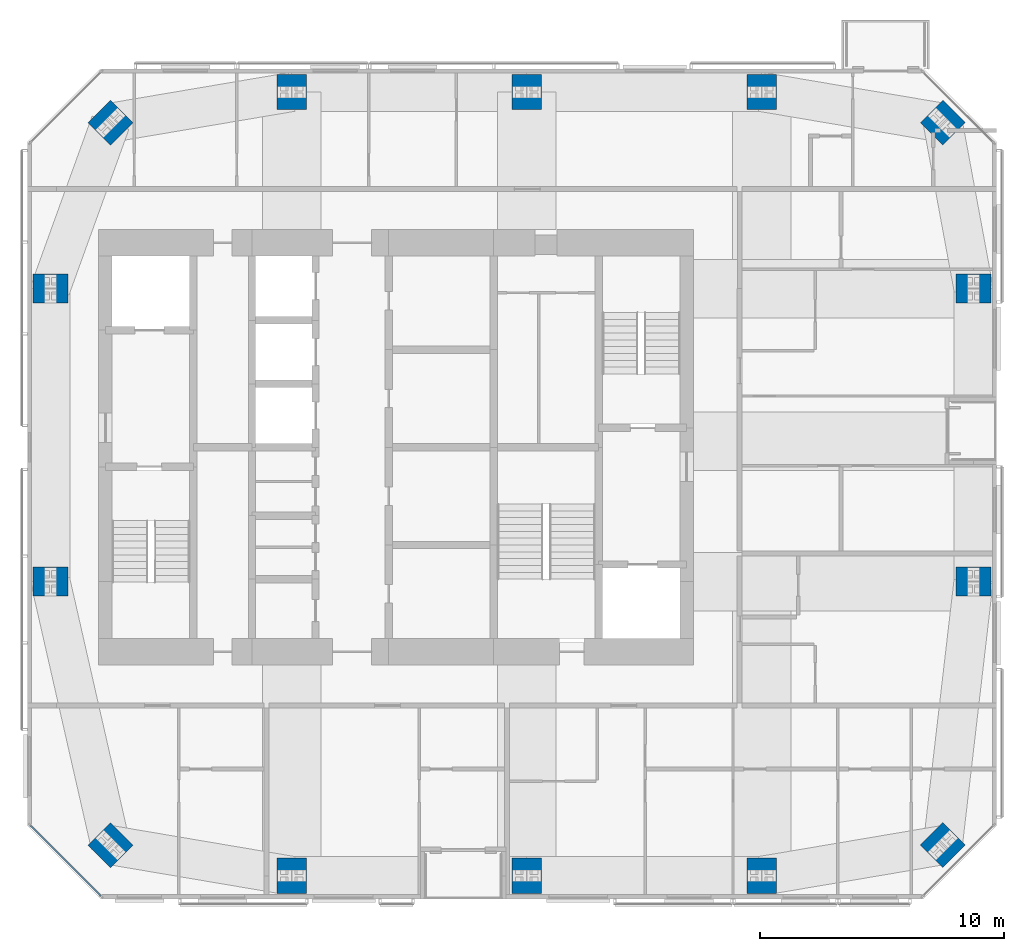
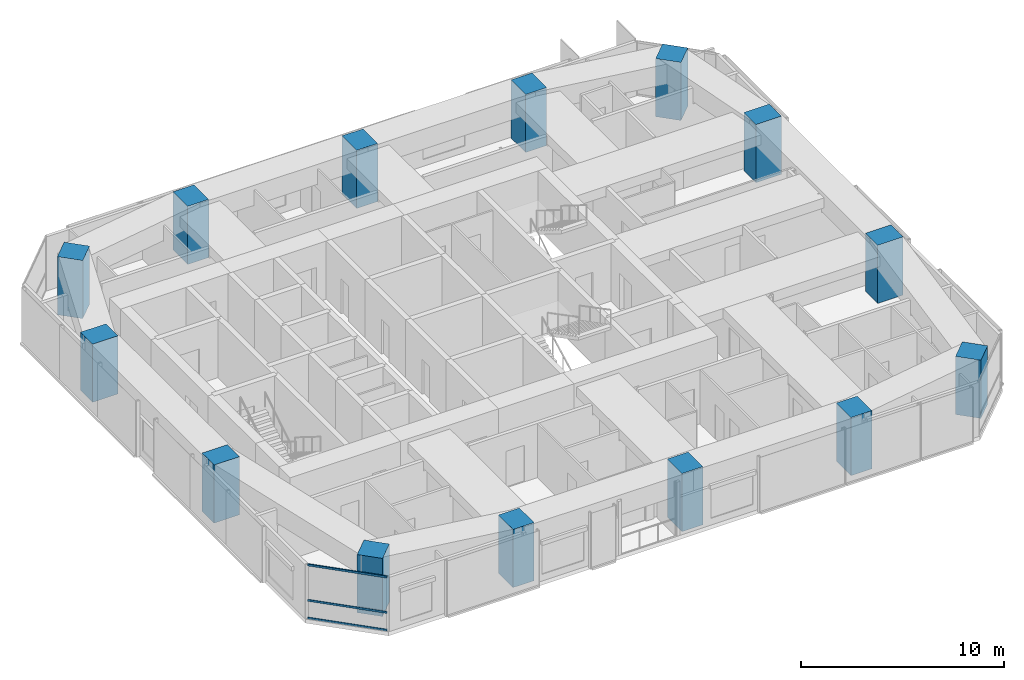
# One storey, part 1 of 20: 14 columns, 3 members, 1 element without a shape of its own.
"""IFC4 building model written with IfcOpenShell, lengths in metres."""

from ifc_helpers import new_model, si_unit, direction, frame, origin, origin_2d, place, context, subcontext, project, spatial, rectangle, extrude, material, material_profile, profile_set, type_object, element, aggregate, save


model = new_model("IFC4")

# Units and contexts
model_context = context("Model", 3, precision=1e-05, world=origin(), true_north=direction((0.0, 1.0)))
body_context = subcontext(model_context, "Body", "Model", "MODEL_VIEW")
ifc_project = project(units=[si_unit("LENGTHUNIT", "METRE"), si_unit("AREAUNIT", "SQUARE_METRE"), si_unit("VOLUMEUNIT", "CUBIC_METRE"), si_unit("PLANEANGLEUNIT", "RADIAN"), si_unit("MASSUNIT", "GRAM", prefix="KILO")], contexts=[model_context])

# Site, building, storey
site_placement = place(None, origin())
site = spatial("IfcSite", under=ifc_project, at=site_placement, CompositionType="ELEMENT")
building_placement = place(site_placement, origin())
building = spatial("IfcBuilding", under=site, at=building_placement, Name="Jalousie Tower", CompositionType="ELEMENT")
storey_placement = place(building_placement, frame((0.0, 0.0, 238.949951171875)))
storey = spatial("IfcBuildingStorey", under=building, at=storey_placement, Name="L65", CompositionType="ELEMENT", Elevation=238.949951171875)

# Columns
ifc_material_1 = material(Name="Concrete f'c 120 MPa", Category="concrete")
ifc_material_profile_1 = material_profile(ifc_material_1, rectangle(XDim=1.300048828125, YDim=1.300048828125, at=origin_2d()), Name="RC 1300x1300")
ifc_profile_set_1 = profile_set([ifc_material_profile_1], Name="Concrete f'c 120 MPa")
column_type_1 = type_object("IfcColumnType", Name="RC COLUMN 1300x1300", PredefinedType="COLUMN", material=ifc_profile_set_1)
for number, where, z_axis, x_axis, name in (
    (1, (20.20703125, 2.20703125, 0.0), (0.0, 0.0, 1.0), (0.707106781187, 0.707106781187, 0.0), "Column 01 L65"),
    (2, (54.29296875, 2.20703125, 0.0), (0.0, 0.0, 1.0), (0.707106781187, 0.707106781187, 0.0), "Column 05 L65"),
    (3, (54.29296875, 31.79296875, 0.0), (0.0, 0.0, 1.0), (0.707106781187, 0.707106781187, 0.0), "Column 08 L65"),
    (4, (20.20703125, 31.79296875, 0.0), (0.0, 0.0, 1.0), (0.707106781187, 0.707106781187, 0.0), "Column 12 L65"),
):
    element("IfcColumn", number, at=place(storey_placement, frame(where, z_axis=z_axis, x_axis=x_axis)), inside=storey, type_object=column_type_1, Name=name, PredefinedType="COLUMN", context=body_context, shape_type="SweptSolid", body=[
        extrude(rectangle(XDim=1.300048828125, YDim=1.300048828125, at=origin_2d()), origin(), (0.0, 0.0, 1.0), 3.5),
    ])
ifc_material_2 = material(Name="Concrete f'c 120 MPa", Category="concrete")
ifc_material_profile_2 = material_profile(ifc_material_2, rectangle(XDim=1.449951171875, YDim=1.199951171875, at=origin_2d()), Name="RC 1450x1200")
ifc_profile_set_2 = profile_set([ifc_material_profile_2], Name="Concrete f'c 120 MPa")
column_type_2 = type_object("IfcColumnType", Name="RC COLUMN 1450x1200", PredefinedType="COLUMN", material=ifc_profile_set_2)
for number, where, z_axis, x_axis, name in (
    (5, (27.625, 0.949951171875, 0.0), (0.0, 0.0, 1.0), (0.0, 1.0, 0.0), "Column 02 L65"),
    (6, (37.25, 0.949951171875, 0.0), (0.0, 0.0, 1.0), (0.0, 1.0, 0.0), "Column 03 L65"),
    (7, (46.875, 0.949951171875, 0.0), (0.0, 0.0, 1.0), (0.0, 1.0, 0.0), "Column 04 L65"),
    (8, (55.550048828125, 13.0, 0.0), (0.0, 0.0, 1.0), (1.0, 0.0, 0.0), "Column 06 L65"),
    (9, (55.550048828125, 25.0, 0.0), (0.0, 0.0, 1.0), (1.0, 0.0, 0.0), "Column 07 L65"),
    (10, (46.875, 33.050048828125, 0.0), (0.0, 0.0, 1.0), (0.0, 1.0, 0.0), "Column 09 L65"),
    (11, (37.25, 33.050048828125, 0.0), (0.0, 0.0, 1.0), (0.0, 1.0, 0.0), "Column 10 L65"),
    (12, (27.625, 33.050048828125, 0.0), (0.0, 0.0, 1.0), (0.0, 1.0, 0.0), "Column 11 L65"),
    (13, (17.75, 25.0, 0.0), (0.0, 0.0, 1.0), (1.0, 0.0, 0.0), "Column 13 L65"),
    (14, (17.75, 13.0, 0.0), (0.0, 0.0, 1.0), (1.0, 0.0, 0.0), "Column 14 L65"),
):
    element("IfcColumn", number, at=place(storey_placement, frame(where, z_axis=z_axis, x_axis=x_axis)), inside=storey, type_object=column_type_2, Name=name, PredefinedType="COLUMN", context=body_context, shape_type="SweptSolid", body=[
        extrude(rectangle(XDim=1.449951171875, YDim=1.199951171875, at=origin_2d()), origin(), (0.0, 0.0, 1.0), 3.5),
    ])

# Curtain wall, members
ifc_material_3 = material(Name="Aluminium curtain wall", Category="aluminium")
curtain_wall_type = type_object("IfcCurtainWallType", Name="CORNER WINDOW WALL", PredefinedType="USERDEFINED", material=ifc_material_3)
curtain_wall_placement = place(storey_placement, origin())
curtain_wall = element("IfcCurtainWall", 15, at=curtain_wall_placement, inside=storey, type_object=curtain_wall_type, Name="Corner Window Wall L65 8", ObjectType="CORNER WINDOW WALL", PredefinedType="USERDEFINED")
ifc_material_4 = material(Name="Aluminium transom", Category="aluminium")
ifc_material_profile_3 = material_profile(ifc_material_4, rectangle(XDim=0.06005859375, YDim=0.1201171875, at=origin_2d()), Name="TRANSOM 60x120")
ifc_profile_set_3 = profile_set([ifc_material_profile_3], Name="Aluminium transom")
member_type = type_object("IfcMemberType", Name="CORNER WINDOW WALL TRANSOM", PredefinedType="USERDEFINED", material=ifc_profile_set_3)
member_1_placement = place(storey_placement, frame((16.929931640625, 3.0087890625, 0.030029296875), z_axis=(0.707106781187, -0.707106781187, 0.0), x_axis=(0.707106781187, 0.707106781187, 0.0)))
member_1 = element("IfcMember", 16, at=member_1_placement, type_object=member_type, Name="CW-C transom 1.1", ObjectType="TRANSOM", PredefinedType="USERDEFINED", context=body_context, shape_type="SweptSolid", body=[
    extrude(rectangle(XDim=0.06005859375, YDim=0.1201171875, at=origin_2d()), origin(), (0.0, 0.0, 1.0), 4.0712890625),
])
member_2_placement = place(storey_placement, frame((16.929931640625, 3.0087890625, 1.10009765625), z_axis=(0.707106781187, -0.707106781187, 0.0), x_axis=(0.707106781187, 0.707106781187, 0.0)))
member_2 = element("IfcMember", 17, at=member_2_placement, type_object=member_type, Name="CW-C transom 1.2", ObjectType="TRANSOM", PredefinedType="USERDEFINED", context=body_context, shape_type="SweptSolid", body=[
    extrude(rectangle(XDim=0.06005859375, YDim=0.1201171875, at=origin_2d()), origin(), (0.0, 0.0, 1.0), 4.0712890625),
])
member_3_placement = place(storey_placement, frame((16.929931640625, 3.0087890625, 3.22998046875), z_axis=(0.707106781187, -0.707106781187, 0.0), x_axis=(0.707106781187, 0.707106781187, 0.0)))
member_3 = element("IfcMember", 18, at=member_3_placement, type_object=member_type, Name="CW-C transom 1.3", ObjectType="TRANSOM", PredefinedType="USERDEFINED", context=body_context, shape_type="SweptSolid", body=[
    extrude(rectangle(XDim=0.06005859375, YDim=0.1201171875, at=origin_2d()), origin(), (0.0, 0.0, 1.0), 4.0712890625),
])
aggregate(curtain_wall, [member_1, member_2, member_3])

save(model, "model.ifc")
